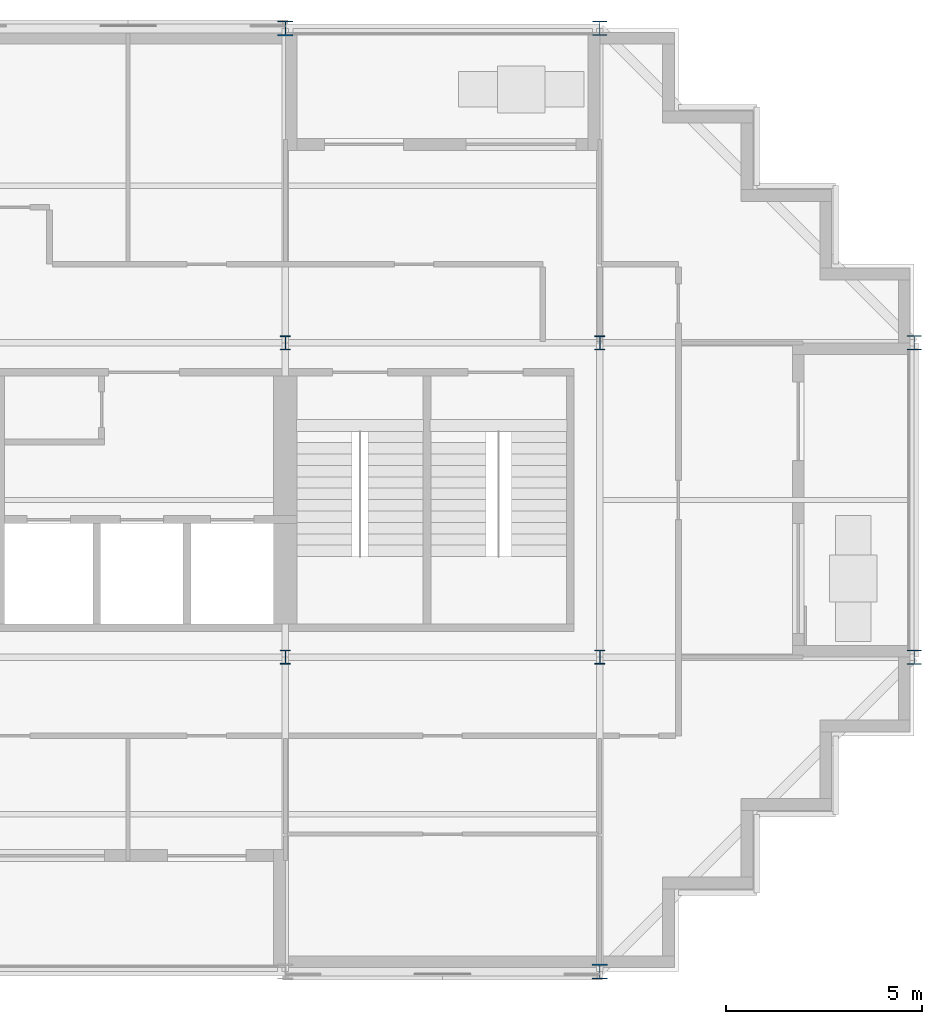
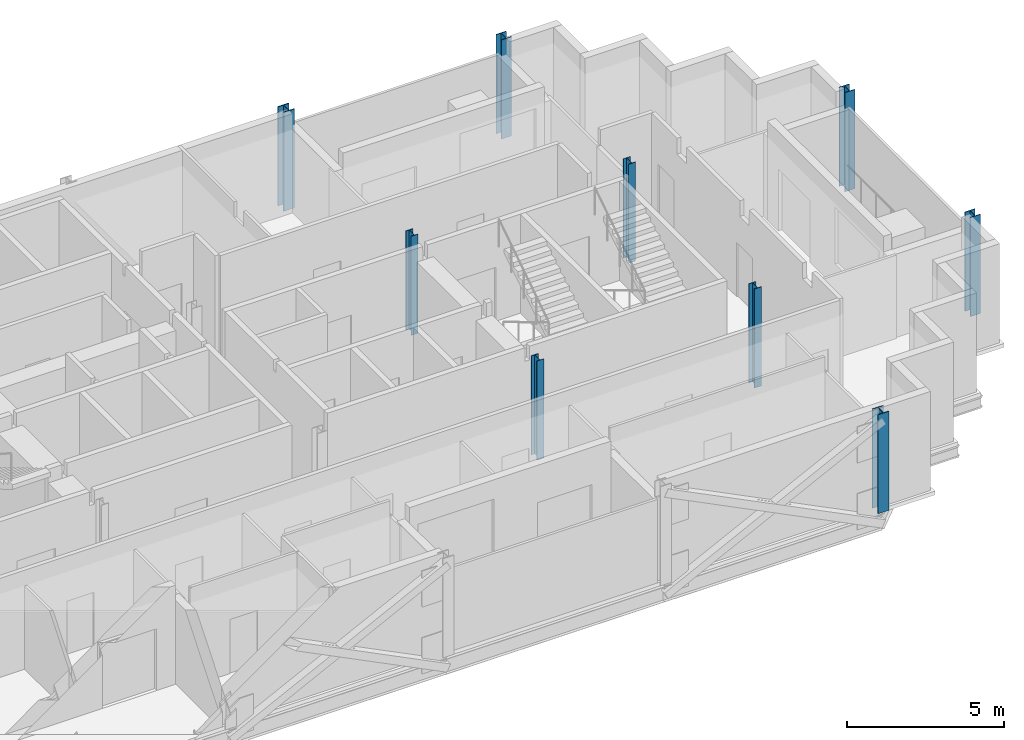
# One storey, part 2 of 10: 9 columns.
"""IFC4 building model written with IfcOpenShell, lengths in metres."""

from ifc_helpers import new_model, si_unit, direction, frame, origin, origin_2d, place, context, subcontext, project, spatial, i_section, extrude, material, material_profile, profile_set, type_object, element, save


model = new_model("IFC4")

# Units and contexts
model_context = context("Model", 3, precision=1e-05, world=origin(), true_north=direction((0.0, 1.0)))
body_context = subcontext(model_context, "Body", "Model", "MODEL_VIEW")
ifc_project = project(units=[si_unit("LENGTHUNIT", "METRE"), si_unit("AREAUNIT", "SQUARE_METRE"), si_unit("VOLUMEUNIT", "CUBIC_METRE"), si_unit("PLANEANGLEUNIT", "RADIAN"), si_unit("MASSUNIT", "GRAM", prefix="KILO")], contexts=[model_context])

# Site, building, storey
site_placement = place(None, origin())
site = spatial("IfcSite", under=ifc_project, at=site_placement, CompositionType="ELEMENT")
building_placement = place(site_placement, origin())
building = spatial("IfcBuilding", under=site, at=building_placement, Name="Immortelle Media Tower", CompositionType="ELEMENT")
storey_placement = place(building_placement, frame((0.0, 0.0, 291.0)))
storey = spatial("IfcBuildingStorey", under=building, at=storey_placement, Name="L64", CompositionType="ELEMENT", Elevation=291.0)

# Columns
ifc_material = material(Name="Steel ASTM A992 Gr 50", Category="steel")
ifc_material_profile_1 = material_profile(ifc_material, i_section(OverallWidth=0.373046875, OverallDepth=0.367919921875, WebThickness=0.014892578125, FlangeThickness=0.02392578125, at=origin_2d()), Name="W14x120")
ifc_profile_set_1 = profile_set([ifc_material_profile_1], Name="Steel ASTM A992 Gr 50")
column_type_1 = type_object("IfcColumnType", Name="W14x120 column", PredefinedType="COLUMN", material=ifc_profile_set_1)
for number, where, z_axis, x_axis, name in (
    (1, (40.0, 24.0, 0.0), (0.0, 0.0, 1.0), (1.0, 0.0, 0.0), "Column 6/D"),
    (2, (48.0, 8.0, 0.0), (0.0, 0.0, 1.0), (1.0, 0.0, 0.0), "Column 7/B"),
    (3, (48.0, 16.0, 0.0), (0.0, 0.0, 1.0), (1.0, 0.0, 0.0), "Column 7/C"),
):
    element("IfcColumn", number, at=place(storey_placement, frame(where, z_axis=z_axis, x_axis=x_axis)), inside=storey, type_object=column_type_1, Name=name, PredefinedType="COLUMN", context=body_context, shape_type="SweptSolid", body=[
        extrude(i_section(OverallWidth=0.373046875, OverallDepth=0.367919921875, WebThickness=0.014892578125, FlangeThickness=0.02392578125, at=origin_2d()), origin(), (0.0, 0.0, 1.0), 3.85009765625),
    ])
ifc_material_profile_2 = material_profile(ifc_material, i_section(OverallWidth=0.39892578125, OverallDepth=0.385986328125, WebThickness=0.02099609375, FlangeThickness=0.032958984375, at=origin_2d()), Name="W14x176")
ifc_profile_set_2 = profile_set([ifc_material_profile_2], Name="Steel ASTM A992 Gr 50")
column_type_2 = type_object("IfcColumnType", Name="W14x176 column", PredefinedType="COLUMN", material=ifc_profile_set_2)
for number, where, z_axis, x_axis, name in (
    (4, (32.0, 24.0, 0.0), (0.0, 0.0, 1.0), (1.0, 0.0, 0.0), "Column 5/D"),
    (5, (40.0, 0.0, 0.0), (0.0, 0.0, 1.0), (1.0, 0.0, 0.0), "Column 6/A"),
):
    element("IfcColumn", number, at=place(storey_placement, frame(where, z_axis=z_axis, x_axis=x_axis)), inside=storey, type_object=column_type_2, Name=name, PredefinedType="COLUMN", context=body_context, shape_type="SweptSolid", body=[
        extrude(i_section(OverallWidth=0.39892578125, OverallDepth=0.385986328125, WebThickness=0.02099609375, FlangeThickness=0.032958984375, at=origin_2d()), origin(), (0.0, 0.0, 1.0), 3.85009765625),
    ])
ifc_material_profile_3 = material_profile(ifc_material, i_section(OverallWidth=0.257080078125, OverallDepth=0.363037109375, WebThickness=0.012939453125, FlangeThickness=0.02197265625, at=origin_2d()), Name="W14x82")
ifc_profile_set_3 = profile_set([ifc_material_profile_3], Name="Steel ASTM A992 Gr 50")
column_type_3 = type_object("IfcColumnType", Name="W14x82 column", PredefinedType="COLUMN", material=ifc_profile_set_3)
for number, where, z_axis, x_axis, name in (
    (6, (32.0, 8.0, 0.0), (0.0, 0.0, 1.0), (1.0, 0.0, 0.0), "Column 5/B"),
    (7, (32.0, 16.0, 0.0), (0.0, 0.0, 1.0), (1.0, 0.0, 0.0), "Column 5/C"),
    (8, (40.0, 8.0, 0.0), (0.0, 0.0, 1.0), (1.0, 0.0, 0.0), "Column 6/B"),
    (9, (40.0, 16.0, 0.0), (0.0, 0.0, 1.0), (1.0, 0.0, 0.0), "Column 6/C"),
):
    element("IfcColumn", number, at=place(storey_placement, frame(where, z_axis=z_axis, x_axis=x_axis)), inside=storey, type_object=column_type_3, Name=name, PredefinedType="COLUMN", context=body_context, shape_type="SweptSolid", body=[
        extrude(i_section(OverallWidth=0.257080078125, OverallDepth=0.363037109375, WebThickness=0.012939453125, FlangeThickness=0.02197265625, at=origin_2d()), origin(), (0.0, 0.0, 1.0), 3.85009765625),
    ])

save(model, "model.ifc")
